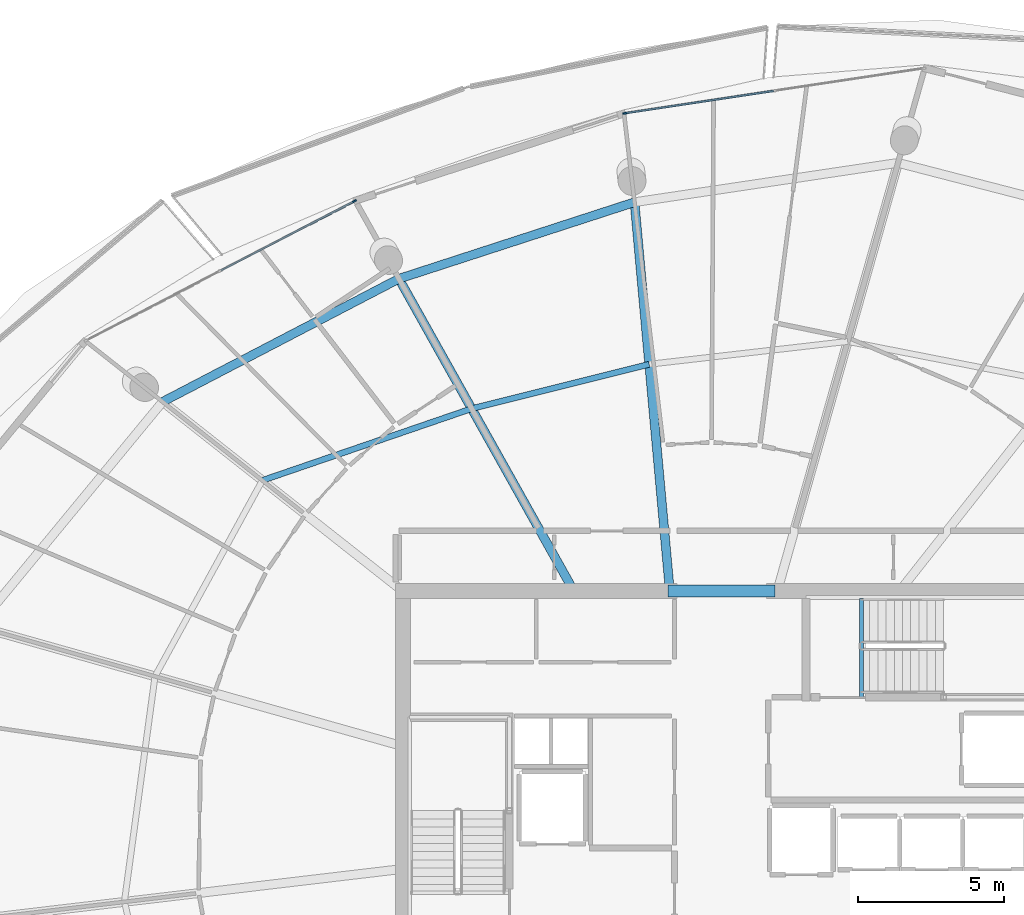
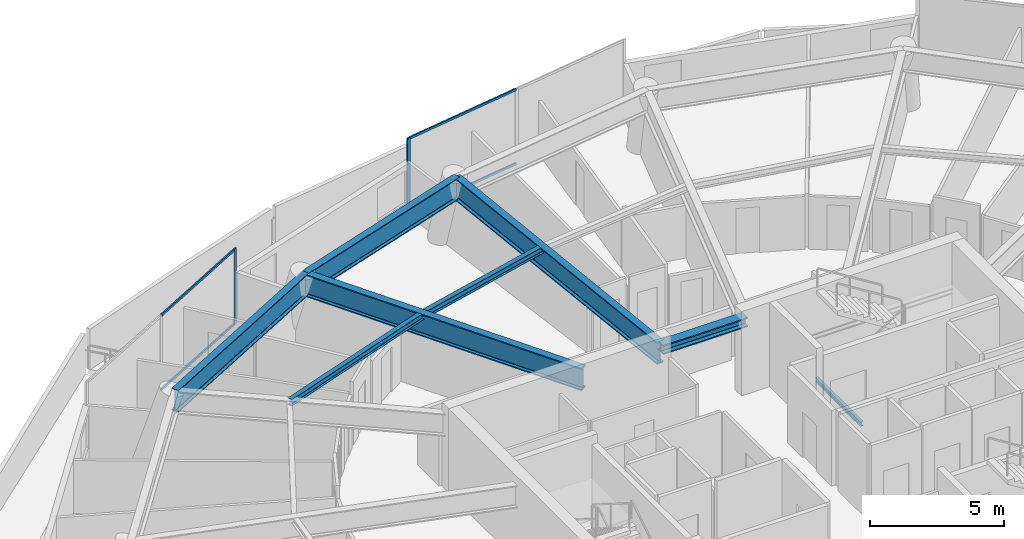
# One storey, part 13 of 30: 8 beams, 6 members, 2 elements without a shape of their own.
"""IFC4 building model written with IfcOpenShell, lengths in metres."""

from ifc_helpers import new_model, si_unit, direction, frame, origin, origin_2d, place, context, subcontext, project, spatial, rectangle, i_section, extrude, material, layer, layer_set, material_profile, profile_set, type_object, element, aggregate, save


model = new_model("IFC4")

# Units and contexts
model_context = context("Model", 3, precision=1e-05, world=origin(), true_north=direction((0.0, 1.0)))
body_context = subcontext(model_context, "Body", "Model", "MODEL_VIEW")
ifc_project = project(units=[si_unit("LENGTHUNIT", "METRE"), si_unit("AREAUNIT", "SQUARE_METRE"), si_unit("VOLUMEUNIT", "CUBIC_METRE"), si_unit("PLANEANGLEUNIT", "RADIAN"), si_unit("MASSUNIT", "GRAM", prefix="KILO")], contexts=[model_context])

# Site, building, storey
site_placement = place(None, origin())
site = spatial("IfcSite", under=ifc_project, at=site_placement, CompositionType="ELEMENT")
building_placement = place(site_placement, origin())
building = spatial("IfcBuilding", under=site, at=building_placement, Name="Kazma Halo Residences", CompositionType="ELEMENT")
storey_placement = place(building_placement, frame((0.0, 0.0, 302.14990234375)))
storey = spatial("IfcBuildingStorey", under=building, at=storey_placement, Name="L76", CompositionType="ELEMENT", Elevation=302.14990234375)

# Beams
ifc_material_1 = material(Name="Steel S355", Category="steel")
ifc_material_profile_1 = material_profile(ifc_material_1, i_section(OverallWidth=0.408935546875, OverallDepth=0.425048828125, WebThickness=0.03271484375, FlangeThickness=0.052490234375, FilletRadius=0.02001953125, at=origin_2d()), Name="W360x421")
ifc_profile_set_1 = profile_set([ifc_material_profile_1], Name="Steel S355")
beam_type_1 = type_object("IfcBeamType", Name="BM-CORE-W360H", PredefinedType="BEAM", material=ifc_profile_set_1)
beam_1_placement = place(storey_placement, frame((46.60009765625, 50.25, 3.237548828125), z_axis=(1.0, 0.0, 0.0), x_axis=(0.0, 1.0, 0.0)))
element("IfcBeam", 1, at=beam_1_placement, inside=storey, type_object=beam_type_1, Name="L76 core coupling beam N", PredefinedType="BEAM", context=body_context, shape_type="SweptSolid", body=[
    extrude(i_section(OverallWidth=0.408935546875, OverallDepth=0.425048828125, WebThickness=0.03271484375, FlangeThickness=0.052490234375, FilletRadius=0.02001953125, at=origin_2d()), origin(), (0.0, 0.0, 1.0), 3.64990234375),
])
ifc_material_profile_2 = material_profile(ifc_material_1, i_section(OverallWidth=0.202880859375, OverallDepth=0.302978515625, WebThickness=0.007568359375, FlangeThickness=0.01318359375, FilletRadius=0.013916015625, at=origin_2d()), Name="W310x60")
ifc_profile_set_2 = profile_set([ifc_material_profile_2], Name="Steel S355")
beam_type_2 = type_object("IfcBeamType", Name="BM-SEC-W310A", PredefinedType="JOIST", material=ifc_profile_set_2)
beam_2_placement = place(storey_placement, frame((45.955810546875, 57.987548828125, 3.298583984375), z_axis=(-0.970135603463, -0.242563210099, 0.0), x_axis=(0.242563210099, -0.970135603463, 0.0)))
element("IfcBeam", 2, at=beam_2_placement, inside=storey, type_object=beam_type_2, Name="L76 circumferential floor joist 04", PredefinedType="JOIST", context=body_context, shape_type="SweptSolid", body=[
    extrude(i_section(OverallWidth=0.202880859375, OverallDepth=0.302978515625, WebThickness=0.007568359375, FlangeThickness=0.01318359375, FilletRadius=0.013916015625, at=origin_2d()), origin(), (0.0, 0.0, 1.0), 6.247314453125),
])
beam_3_placement = place(storey_placement, frame((39.89501953125, 56.47216796875, 3.298583984375), z_axis=(-0.94593659601, -0.324351593691, 0.0), x_axis=(0.324351593691, -0.94593659601, 0.0)))
element("IfcBeam", 3, at=beam_3_placement, inside=storey, type_object=beam_type_2, Name="L76 circumferential floor joist 05", PredefinedType="JOIST", context=body_context, shape_type="SweptSolid", body=[
    extrude(i_section(OverallWidth=0.202880859375, OverallDepth=0.302978515625, WebThickness=0.007568359375, FlangeThickness=0.01318359375, FilletRadius=0.013916015625, at=origin_2d()), origin(), (0.0, 0.0, 1.0), 7.553466796875),
])
ifc_material_profile_3 = material_profile(ifc_material_1, i_section(OverallWidth=0.302001953125, OverallDepth=1.01806640625, WebThickness=0.021484375, FlangeThickness=0.049072265625, FilletRadius=0.028076171875, at=origin_2d()), Name="W1000x443")
ifc_profile_set_3 = profile_set([ifc_material_profile_3], Name="Steel S355")
beam_type_3 = type_object("IfcBeamType", Name="BM-TRANS-W1000A", PredefinedType="BEAM", material=ifc_profile_set_3)
beam_4_placement = place(storey_placement, frame((46.64990234375, 50.35009765625, 2.941162109375), z_axis=(-0.090510774143, 0.995895476325, 0.0), x_axis=(-0.995895476325, -0.090510774143, 0.0)))
element("IfcBeam", 4, at=beam_4_placement, inside=storey, type_object=beam_type_3, Name="L76 podium radial transfer girder 04", PredefinedType="BEAM", context=body_context, shape_type="SweptSolid", body=[
    extrude(i_section(OverallWidth=0.302001953125, OverallDepth=1.01806640625, WebThickness=0.021484375, FlangeThickness=0.049072265625, FilletRadius=0.028076171875, at=origin_2d()), origin(), (0.0, 0.0, 1.0), 13.222412109375),
])
beam_5_placement = place(storey_placement, frame((43.32373046875, 50.35009765625, 2.941162109375), z_axis=(-0.488624876379, 0.872493971431, 0.0), x_axis=(-0.872493971431, -0.488624876379, 0.0)))
element("IfcBeam", 5, at=beam_5_placement, inside=storey, type_object=beam_type_3, Name="L76 podium radial transfer girder 05", PredefinedType="BEAM", context=body_context, shape_type="SweptSolid", body=[
    extrude(i_section(OverallWidth=0.302001953125, OverallDepth=1.01806640625, WebThickness=0.021484375, FlangeThickness=0.049072265625, FilletRadius=0.028076171875, at=origin_2d()), origin(), (0.0, 0.0, 1.0), 12.097900390625),
])
ifc_material_profile_4 = material_profile(ifc_material_1, i_section(OverallWidth=0.300048828125, OverallDepth=1.0, WebThickness=0.01904296875, FlangeThickness=0.0400390625, FilletRadius=0.02587890625, at=origin_2d()), Name="W1000x371")
ifc_profile_set_4 = profile_set([ifc_material_profile_4], Name="Steel S355")
beam_type_4 = type_object("IfcBeamType", Name="BM-TRANS-W1000B", PredefinedType="BEAM", material=ifc_profile_set_4)
beam_6_placement = place(storey_placement, frame((45.453125, 63.518310546875, 2.9501953125), z_axis=(-0.95104998305, -0.309037100914, 0.0), x_axis=(0.309037100914, -0.95104998305, 0.0)))
element("IfcBeam", 6, at=beam_6_placement, inside=storey, type_object=beam_type_4, Name="L76 perimeter ring beam 04", PredefinedType="BEAM", context=body_context, shape_type="SweptSolid", body=[
    extrude(i_section(OverallWidth=0.300048828125, OverallDepth=1.0, WebThickness=0.01904296875, FlangeThickness=0.0400390625, FilletRadius=0.02587890625, at=origin_2d()), origin(), (0.0, 0.0, 1.0), 8.45458984375),
])
beam_7_placement = place(storey_placement, frame((37.412353515625, 60.905517578125, 2.9501953125), z_axis=(-0.886956012642, -0.461853907246, 0.0), x_axis=(0.461853907246, -0.886956012642, 0.0)))
element("IfcBeam", 7, at=beam_7_placement, inside=storey, type_object=beam_type_4, Name="L76 perimeter ring beam 05", PredefinedType="BEAM", context=body_context, shape_type="SweptSolid", body=[
    extrude(i_section(OverallWidth=0.300048828125, OverallDepth=1.0, WebThickness=0.01904296875, FlangeThickness=0.0400390625, FilletRadius=0.02587890625, at=origin_2d()), origin(), (0.0, 0.0, 1.0), 9.09423828125),
])
ifc_material_profile_5 = material_profile(ifc_material_1, i_section(OverallWidth=0.133056640625, OverallDepth=0.20703125, WebThickness=0.005859375, FlangeThickness=0.00830078125, FilletRadius=0.010009765625, at=origin_2d()), Name="W200x26.6")
ifc_profile_set_5 = profile_set([ifc_material_profile_5], Name="Steel S355")
beam_type_5 = type_object("IfcBeamType", Name="BM-TRIM-W200", PredefinedType="BEAM", material=ifc_profile_set_5)
beam_8_placement = place(storey_placement, frame((53.199951171875, 46.6201171875, -0.369873046875), z_axis=(0.0, 1.0, 0.0), x_axis=(-1.0, 0.0, 0.0)))
element("IfcBeam", 8, at=beam_8_placement, inside=storey, type_object=beam_type_5, Name="L76 ST-02 floor landing support beam", PredefinedType="BEAM", context=body_context, shape_type="SweptSolid", body=[
    extrude(i_section(OverallWidth=0.133056640625, OverallDepth=0.20703125, WebThickness=0.005859375, FlangeThickness=0.00830078125, FilletRadius=0.010009765625, at=origin_2d()), origin(), (0.0, 0.0, 1.0), 3.3798828125),
])

# Curtain wall, member
ifc_material_2 = material(Name="Aluminium AW-6063 T6 and Triple-Silver Low-E Glass", Category="aluminium")
ifc_layer = layer(ifc_material_2, 0.139892578125)
ifc_layer_set = layer_set([ifc_layer], Name="Aluminium AW-6063 T6 and Triple-Silver Low-E Glass")
curtain_wall_type = type_object("IfcCurtainWallType", Name="CW-SYS-5", PredefinedType="NOTDEFINED", material=ifc_layer_set)
curtain_wall_1_placement = place(storey_placement, origin())
curtain_wall_1 = element("IfcCurtainWall", 9, at=curtain_wall_1_placement, inside=storey, type_object=curtain_wall_type, Name="L76 unitised curtain wall B03", PredefinedType="NOTDEFINED")
ifc_material_3 = material(Name="Aluminium AW-6063 T6", Category="aluminium")
ifc_material_profile_6 = material_profile(ifc_material_3, rectangle(XDim=0.06005859375, YDim=0.139892578125, at=origin_2d()), Name="CWM-60x140")
ifc_profile_set_6 = profile_set([ifc_material_profile_6], Name="Aluminium AW-6063 T6")
member_type_1 = type_object("IfcMemberType", Name="CW-SYS-5-MUL", PredefinedType="MULLION", material=ifc_profile_set_6)
member_1_placement = place(storey_placement, frame((45.124267578125, 66.552734375, 0.0), z_axis=(0.0, 0.0, 1.0), x_axis=(0.148697080374, -0.988882792998, 0.0)))
member_1 = element("IfcMember", 10, at=member_1_placement, type_object=member_type_1, Name="CWS-5 mullion 3", PredefinedType="MULLION", context=body_context, shape_type="SweptSolid", body=[
    extrude(rectangle(XDim=0.06005859375, YDim=0.139892578125, at=origin_2d()), origin(), (0.0, 0.0, 1.0), 3.4501953125),
])

curtain_wall_2_placement = place(storey_placement, origin())
curtain_wall_2 = element("IfcCurtainWall", 11, at=curtain_wall_2_placement, inside=storey, type_object=curtain_wall_type, Name="L76 unitised curtain wall B05", PredefinedType="NOTDEFINED")
member_2_placement = place(storey_placement, frame((35.894775390625, 63.553955078125, 0.0), z_axis=(0.0, 0.0, 1.0), x_axis=(0.460960760804, -0.887420518694, 0.0)))
member_2 = element("IfcMember", 12, at=member_2_placement, type_object=member_type_1, Name="CWS-5 mullion 1", PredefinedType="MULLION", context=body_context, shape_type="SweptSolid", body=[
    extrude(rectangle(XDim=0.06005859375, YDim=0.139892578125, at=origin_2d()), origin(), (0.0, 0.0, 1.0), 3.4501953125),
])

# Member
ifc_material_profile_7 = material_profile(ifc_material_3, rectangle(XDim=0.06005859375, YDim=0.10498046875, at=origin_2d()), Name="CWT-60x105")
ifc_profile_set_7 = profile_set([ifc_material_profile_7], Name="Aluminium AW-6063 T6")
member_type_2 = type_object("IfcMemberType", Name="CW-SYS-5-TRN", PredefinedType="USERDEFINED", material=ifc_profile_set_7)
member_3_placement = place(storey_placement, frame((50.19677734375, 67.3154296875, 0.030029296875), z_axis=(-0.988882913569, -0.148696278541, 0.0), x_axis=(0.148696278541, -0.988882913569, 0.0)))
member_3 = element("IfcMember", 13, at=member_3_placement, type_object=member_type_2, Name="CWS-5 transom 2.1", ObjectType="TRANSOM", PredefinedType="USERDEFINED", context=body_context, shape_type="SweptSolid", body=[
    extrude(rectangle(XDim=0.06005859375, YDim=0.10498046875, at=origin_2d()), origin(), (0.0, 0.0, 1.0), 5.099609375),
])

member_4_placement = place(storey_placement, frame((50.19677734375, 67.3154296875, 3.420166015625), z_axis=(-0.988882913569, -0.148696278541, 0.0), x_axis=(0.148696278541, -0.988882913569, 0.0)))
member_4 = element("IfcMember", 14, at=member_4_placement, type_object=member_type_2, Name="CWS-5 transom 2.2", ObjectType="TRANSOM", PredefinedType="USERDEFINED", context=body_context, shape_type="SweptSolid", body=[
    extrude(rectangle(XDim=0.06005859375, YDim=0.10498046875, at=origin_2d()), origin(), (0.0, 0.0, 1.0), 5.099609375),
])

aggregate(curtain_wall_1, [member_1, member_3, member_4])

member_5_placement = place(storey_placement, frame((35.8681640625, 63.5400390625, 0.030029296875), z_axis=(-0.887436955863, -0.46092911534, 0.0), x_axis=(0.46092911534, -0.887436955863, 0.0)))
member_5 = element("IfcMember", 15, at=member_5_placement, type_object=member_type_2, Name="CWS-5 transom 1.1", ObjectType="TRANSOM", PredefinedType="USERDEFINED", context=body_context, shape_type="SweptSolid", body=[
    extrude(rectangle(XDim=0.06005859375, YDim=0.10498046875, at=origin_2d()), origin(), (0.0, 0.0, 1.0), 5.099609375),
])

member_6_placement = place(storey_placement, frame((35.8681640625, 63.5400390625, 3.420166015625), z_axis=(-0.887436955863, -0.46092911534, 0.0), x_axis=(0.46092911534, -0.887436955863, 0.0)))
member_6 = element("IfcMember", 16, at=member_6_placement, type_object=member_type_2, Name="CWS-5 transom 1.2", ObjectType="TRANSOM", PredefinedType="USERDEFINED", context=body_context, shape_type="SweptSolid", body=[
    extrude(rectangle(XDim=0.06005859375, YDim=0.10498046875, at=origin_2d()), origin(), (0.0, 0.0, 1.0), 5.099609375),
])

aggregate(curtain_wall_2, [member_2, member_5, member_6])

save(model, "model.ifc")
